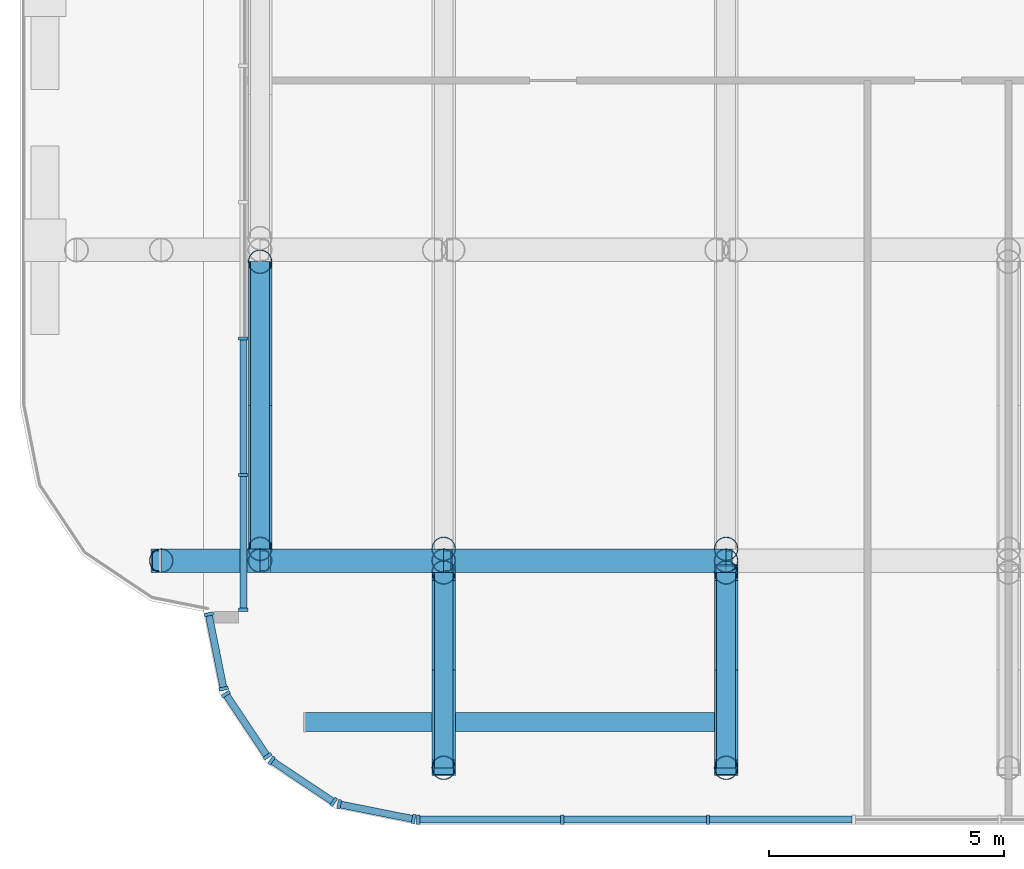
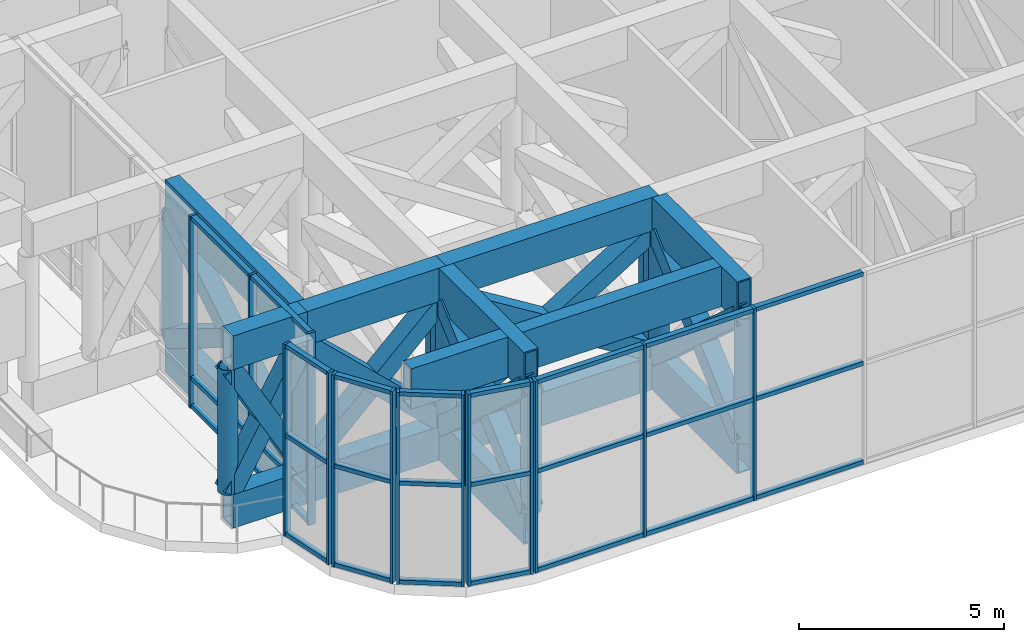
# One storey, part 1 of 21: 65 members, 13 beams, 6 elements without a shape of their own.
"""IFC4 building model written with IfcOpenShell, lengths in metres."""

from ifc_helpers import new_model, si_unit, direction, frame, origin, origin_2d, place, context, subcontext, project, spatial, rectangle, hollow_rectangle, hollow_circle, extrude, material, layer, layer_set, material_profile, profile_set, type_object, element, aggregate, save


model = new_model("IFC4")

# Units and contexts
model_context = context("Model", 3, precision=1e-05, world=origin(), true_north=direction((0.0, 1.0)))
body_context = subcontext(model_context, "Body", "Model", "MODEL_VIEW")
ifc_project = project(units=[si_unit("LENGTHUNIT", "METRE"), si_unit("AREAUNIT", "SQUARE_METRE"), si_unit("VOLUMEUNIT", "CUBIC_METRE"), si_unit("PLANEANGLEUNIT", "RADIAN"), si_unit("MASSUNIT", "GRAM", prefix="KILO")], contexts=[model_context])

# Site, building, storey
site_placement = place(None, origin())
site = spatial("IfcSite", under=ifc_project, at=site_placement, CompositionType="ELEMENT")
building_placement = place(site_placement, origin())
building = spatial("IfcBuilding", under=site, at=building_placement, Name="Torana Hotel and Residences", CompositionType="ELEMENT")
storey_placement = place(building_placement, frame((0.0, 0.0, 246.60009765625)))
storey = spatial("IfcBuildingStorey", under=building, at=storey_placement, Name="L65", CompositionType="ELEMENT", Elevation=246.60009765625)

# Curtain wall, members
ifc_material_1 = material(Name="Dark anodised aluminium", Category="aluminium")
ifc_layer = layer(ifc_material_1, 0.199951171875)
ifc_layer_set = layer_set([ifc_layer], Name="CW2 SKY LOBBY UNITISED CURTAIN WALL")
curtain_wall_type = type_object("IfcCurtainWallType", Name="CW2 SKY LOBBY UNITISED CURTAIN WALL", PredefinedType="NOTDEFINED", material=ifc_layer_set)
curtain_wall_1_placement = place(storey_placement, origin())
curtain_wall_1 = element("IfcCurtainWall", 1, at=curtain_wall_1_placement, inside=storey, type_object=curtain_wall_type, Name="Curtain wall CW2 L65 e0.4-2", PredefinedType="NOTDEFINED")
ifc_material_2 = material(Name="Dark anodised aluminium", Category="aluminium")
ifc_material_profile_1 = material_profile(ifc_material_2, rectangle(XDim=0.199951171875, YDim=0.070068359375, at=origin_2d()), Name="CW2 MULLION 70x200")
ifc_profile_set_1 = profile_set([ifc_material_profile_1], Name="Dark anodised aluminium")
member_type_1 = type_object("IfcMemberType", Name="CW2 MULLION 70x200", PredefinedType="MULLION", material=ifc_profile_set_1)
member_1_placement = place(storey_placement, frame((-22.2548828125, -23.482421875, 0.0), z_axis=(0.0, 0.0, 1.0), x_axis=(1.0, 0.0, 0.0)))
member_1 = element("IfcMember", 2, at=member_1_placement, type_object=member_type_1, Name="CW2 mullion 4", PredefinedType="MULLION", context=body_context, shape_type="SweptSolid", body=[
    extrude(rectangle(XDim=0.199951171875, YDim=0.070068359375, at=origin_2d()), origin(), (0.0, 0.0, 1.0), 5.719970703125),
])
member_2_placement = place(storey_placement, frame((-22.2548828125, -26.37890625, 0.0), z_axis=(0.0, 0.0, 1.0), x_axis=(1.0, 0.0, 0.0)))
member_2 = element("IfcMember", 3, at=member_2_placement, type_object=member_type_1, Name="CW2 mullion 5", PredefinedType="MULLION", context=body_context, shape_type="SweptSolid", body=[
    extrude(rectangle(XDim=0.199951171875, YDim=0.070068359375, at=origin_2d()), origin(), (0.0, 0.0, 1.0), 5.719970703125),
])
member_3_placement = place(storey_placement, frame((-22.2548828125, -29.240478515625, 0.0), z_axis=(0.0, 0.0, 1.0), x_axis=(1.0, 0.0, 0.0)))
member_3 = element("IfcMember", 4, at=member_3_placement, type_object=member_type_1, Name="CW2 mullion 6", PredefinedType="MULLION", context=body_context, shape_type="SweptSolid", body=[
    extrude(rectangle(XDim=0.199951171875, YDim=0.070068359375, at=origin_2d()), origin(), (0.0, 0.0, 1.0), 5.719970703125),
])

curtain_wall_2_placement = place(storey_placement, origin())
curtain_wall_2 = element("IfcCurtainWall", 5, at=curtain_wall_2_placement, inside=storey, type_object=curtain_wall_type, Name="Curtain wall CW2 L65 e0.5-1", PredefinedType="NOTDEFINED")
member_4_placement = place(storey_placement, frame((-22.990234375, -29.3388671875, 0.0), z_axis=(0.0, 0.0, 1.0), x_axis=(0.980790545928, 0.195063848566, 0.0)))
member_4 = element("IfcMember", 6, at=member_4_placement, type_object=member_type_1, Name="CW2 mullion 1", PredefinedType="MULLION", context=body_context, shape_type="SweptSolid", body=[
    extrude(rectangle(XDim=0.199951171875, YDim=0.070068359375, at=origin_2d()), origin(), (0.0, 0.0, 1.0), 5.719970703125),
])
member_5_placement = place(storey_placement, frame((-22.676025390625, -30.91943359375, 0.0), z_axis=(0.0, 0.0, 1.0), x_axis=(0.980790545928, 0.195063848566, 0.0)))
member_5 = element("IfcMember", 7, at=member_5_placement, type_object=member_type_1, Name="CW2 mullion 2", PredefinedType="MULLION", context=body_context, shape_type="SweptSolid", body=[
    extrude(rectangle(XDim=0.199951171875, YDim=0.070068359375, at=origin_2d()), origin(), (0.0, 0.0, 1.0), 5.719970703125),
])

curtain_wall_3_placement = place(storey_placement, origin())
curtain_wall_3 = element("IfcCurtainWall", 8, at=curtain_wall_3_placement, inside=storey, type_object=curtain_wall_type, Name="Curtain wall CW2 L65 e0.6-1", PredefinedType="NOTDEFINED")
member_6_placement = place(storey_placement, frame((-22.627197265625, -31.037109375, 0.0), z_axis=(0.0, 0.0, 1.0), x_axis=(0.831473968618, 0.555563713278, 0.0)))
member_6 = element("IfcMember", 9, at=member_6_placement, type_object=member_type_1, Name="CW2 mullion 1", PredefinedType="MULLION", context=body_context, shape_type="SweptSolid", body=[
    extrude(rectangle(XDim=0.199951171875, YDim=0.070068359375, at=origin_2d()), origin(), (0.0, 0.0, 1.0), 5.719970703125),
])
member_7_placement = place(storey_placement, frame((-21.745849609375, -32.35595703125, 0.0), z_axis=(0.0, 0.0, 1.0), x_axis=(0.831473968618, 0.555563713278, 0.0)))
member_7 = element("IfcMember", 10, at=member_7_placement, type_object=member_type_1, Name="CW2 mullion 2", PredefinedType="MULLION", context=body_context, shape_type="SweptSolid", body=[
    extrude(rectangle(XDim=0.199951171875, YDim=0.070068359375, at=origin_2d()), origin(), (0.0, 0.0, 1.0), 5.719970703125),
])

curtain_wall_4_placement = place(storey_placement, origin())
curtain_wall_4 = element("IfcCurtainWall", 11, at=curtain_wall_4_placement, inside=storey, type_object=curtain_wall_type, Name="Curtain wall CW2 L65 e0.7-1", PredefinedType="NOTDEFINED")
member_8_placement = place(storey_placement, frame((-21.656005859375, -32.446044921875, 0.0), z_axis=(0.0, 0.0, 1.0), x_axis=(0.555563713278, 0.831473968618, 0.0)))
member_8 = element("IfcMember", 12, at=member_8_placement, type_object=member_type_1, Name="CW2 mullion 1", PredefinedType="MULLION", context=body_context, shape_type="SweptSolid", body=[
    extrude(rectangle(XDim=0.199951171875, YDim=0.070068359375, at=origin_2d()), origin(), (0.0, 0.0, 1.0), 5.719970703125),
])
member_9_placement = place(storey_placement, frame((-20.3369140625, -33.3271484375, 0.0), z_axis=(0.0, 0.0, 1.0), x_axis=(0.555563713278, 0.831473968618, 0.0)))
member_9 = element("IfcMember", 13, at=member_9_placement, type_object=member_type_1, Name="CW2 mullion 2", PredefinedType="MULLION", context=body_context, shape_type="SweptSolid", body=[
    extrude(rectangle(XDim=0.199951171875, YDim=0.070068359375, at=origin_2d()), origin(), (0.0, 0.0, 1.0), 5.719970703125),
])

curtain_wall_5_placement = place(storey_placement, origin())
curtain_wall_5 = element("IfcCurtainWall", 14, at=curtain_wall_5_placement, inside=storey, type_object=curtain_wall_type, Name="Curtain wall CW2 L65 e0.8-1", PredefinedType="NOTDEFINED")
member_10_placement = place(storey_placement, frame((-20.219482421875, -33.3759765625, 0.0), z_axis=(0.0, 0.0, 1.0), x_axis=(0.195063848566, 0.980790545928, 0.0)))
member_10 = element("IfcMember", 15, at=member_10_placement, type_object=member_type_1, Name="CW2 mullion 1", PredefinedType="MULLION", context=body_context, shape_type="SweptSolid", body=[
    extrude(rectangle(XDim=0.199951171875, YDim=0.070068359375, at=origin_2d()), origin(), (0.0, 0.0, 1.0), 5.719970703125),
])
member_11_placement = place(storey_placement, frame((-18.638916015625, -33.690185546875, 0.0), z_axis=(0.0, 0.0, 1.0), x_axis=(0.195063848566, 0.980790545928, 0.0)))
member_11 = element("IfcMember", 16, at=member_11_placement, type_object=member_type_1, Name="CW2 mullion 2", PredefinedType="MULLION", context=body_context, shape_type="SweptSolid", body=[
    extrude(rectangle(XDim=0.199951171875, YDim=0.070068359375, at=origin_2d()), origin(), (0.0, 0.0, 1.0), 5.719970703125),
])

curtain_wall_6_placement = place(storey_placement, origin())
curtain_wall_6 = element("IfcCurtainWall", 17, at=curtain_wall_6_placement, inside=storey, type_object=curtain_wall_type, Name="Curtain wall CW2 L65 e0.9-1", PredefinedType="NOTDEFINED")
member_12_placement = place(storey_placement, frame((-18.540283203125, -33.699951171875, 0.0), z_axis=(0.0, 0.0, 1.0), x_axis=(0.0, 1.0, 0.0)))
member_12 = element("IfcMember", 18, at=member_12_placement, type_object=member_type_1, Name="CW2 mullion 1", PredefinedType="MULLION", context=body_context, shape_type="SweptSolid", body=[
    extrude(rectangle(XDim=0.199951171875, YDim=0.070068359375, at=origin_2d()), origin(), (0.0, 0.0, 1.0), 5.719970703125),
])
member_13_placement = place(storey_placement, frame((-15.4794921875, -33.699951171875, 0.0), z_axis=(0.0, 0.0, 1.0), x_axis=(0.0, 1.0, 0.0)))
member_13 = element("IfcMember", 19, at=member_13_placement, type_object=member_type_1, Name="CW2 mullion 2", PredefinedType="MULLION", context=body_context, shape_type="SweptSolid", body=[
    extrude(rectangle(XDim=0.199951171875, YDim=0.070068359375, at=origin_2d()), origin(), (0.0, 0.0, 1.0), 5.719970703125),
])
member_14_placement = place(storey_placement, frame((-12.383544921875, -33.699951171875, 0.0), z_axis=(0.0, 0.0, 1.0), x_axis=(0.0, 1.0, 0.0)))
member_14 = element("IfcMember", 20, at=member_14_placement, type_object=member_type_1, Name="CW2 mullion 3", PredefinedType="MULLION", context=body_context, shape_type="SweptSolid", body=[
    extrude(rectangle(XDim=0.199951171875, YDim=0.070068359375, at=origin_2d()), origin(), (0.0, 0.0, 1.0), 5.719970703125),
])

# Member
ifc_material_3 = material(Name="Dark anodised aluminium", Category="aluminium")
ifc_material_profile_2 = material_profile(ifc_material_3, rectangle(XDim=0.14990234375, YDim=0.1201171875, at=origin_2d()), Name="CW2 TRANSOM 150x120")
ifc_profile_set_2 = profile_set([ifc_material_profile_2], Name="Dark anodised aluminium")
member_type_2 = type_object("IfcMemberType", Name="CW2 TRANSOM 150x120", PredefinedType="USERDEFINED", material=ifc_profile_set_2)
member_15_placement = place(storey_placement, frame((-22.2548828125, -23.517333984375, 0.059814453125), z_axis=(0.0, -1.0, 0.0), x_axis=(1.0, 0.0, 0.0)))
member_15 = element("IfcMember", 21, at=member_15_placement, type_object=member_type_2, Name="CW2 transom 4.1", ObjectType="TRANSOM", PredefinedType="USERDEFINED", context=body_context, shape_type="SweptSolid", body=[
    extrude(rectangle(XDim=0.14990234375, YDim=0.1201171875, at=origin_2d()), origin(), (0.0, 0.0, 1.0), 2.82666015625),
])

member_16_placement = place(storey_placement, frame((-22.2548828125, -23.517333984375, 0.89990234375), z_axis=(0.0, -1.0, 0.0), x_axis=(1.0, 0.0, 0.0)))
member_16 = element("IfcMember", 22, at=member_16_placement, type_object=member_type_2, Name="CW2 transom 4.2", ObjectType="TRANSOM", PredefinedType="USERDEFINED", context=body_context, shape_type="SweptSolid", body=[
    extrude(rectangle(XDim=0.14990234375, YDim=0.1201171875, at=origin_2d()), origin(), (0.0, 0.0, 1.0), 2.82666015625),
])

member_17_placement = place(storey_placement, frame((-22.2548828125, -23.517333984375, 5.659912109375), z_axis=(0.0, -1.0, 0.0), x_axis=(1.0, 0.0, 0.0)))
member_17 = element("IfcMember", 23, at=member_17_placement, type_object=member_type_2, Name="CW2 transom 4.3", ObjectType="TRANSOM", PredefinedType="USERDEFINED", context=body_context, shape_type="SweptSolid", body=[
    extrude(rectangle(XDim=0.14990234375, YDim=0.1201171875, at=origin_2d()), origin(), (0.0, 0.0, 1.0), 2.82666015625),
])

member_18_placement = place(storey_placement, frame((-22.2548828125, -26.413818359375, 0.059814453125), z_axis=(0.0, -1.0, 0.0), x_axis=(1.0, 0.0, 0.0)))
member_18 = element("IfcMember", 24, at=member_18_placement, type_object=member_type_2, Name="CW2 transom 5.1", ObjectType="TRANSOM", PredefinedType="USERDEFINED", context=body_context, shape_type="SweptSolid", body=[
    extrude(rectangle(XDim=0.14990234375, YDim=0.1201171875, at=origin_2d()), origin(), (0.0, 0.0, 1.0), 2.79150390625),
])

member_19_placement = place(storey_placement, frame((-22.2548828125, -26.413818359375, 0.89990234375), z_axis=(0.0, -1.0, 0.0), x_axis=(1.0, 0.0, 0.0)))
member_19 = element("IfcMember", 25, at=member_19_placement, type_object=member_type_2, Name="CW2 transom 5.2", ObjectType="TRANSOM", PredefinedType="USERDEFINED", context=body_context, shape_type="SweptSolid", body=[
    extrude(rectangle(XDim=0.14990234375, YDim=0.1201171875, at=origin_2d()), origin(), (0.0, 0.0, 1.0), 2.79150390625),
])

member_20_placement = place(storey_placement, frame((-22.2548828125, -26.413818359375, 5.659912109375), z_axis=(0.0, -1.0, 0.0), x_axis=(1.0, 0.0, 0.0)))
member_20 = element("IfcMember", 26, at=member_20_placement, type_object=member_type_2, Name="CW2 transom 5.3", ObjectType="TRANSOM", PredefinedType="USERDEFINED", context=body_context, shape_type="SweptSolid", body=[
    extrude(rectangle(XDim=0.14990234375, YDim=0.1201171875, at=origin_2d()), origin(), (0.0, 0.0, 1.0), 2.79150390625),
])

aggregate(curtain_wall_1, [member_1, member_2, member_3, member_15, member_16, member_17, member_18, member_19, member_20])

member_21_placement = place(storey_placement, frame((-22.9833984375, -29.373291015625, 0.059814453125), z_axis=(0.194958648567, -0.980811462692, 0.0), x_axis=(0.980811462692, 0.194958648567, 0.0)))
member_21 = element("IfcMember", 27, at=member_21_placement, type_object=member_type_2, Name="CW2 transom 1.1", ObjectType="TRANSOM", PredefinedType="USERDEFINED", context=body_context, shape_type="SweptSolid", body=[
    extrude(rectangle(XDim=0.14990234375, YDim=0.1201171875, at=origin_2d()), origin(), (0.0, 0.0, 1.0), 1.54150390625),
])

member_22_placement = place(storey_placement, frame((-22.9833984375, -29.373291015625, 3.0), z_axis=(0.194958648567, -0.980811462692, 0.0), x_axis=(0.980811462692, 0.194958648567, 0.0)))
member_22 = element("IfcMember", 28, at=member_22_placement, type_object=member_type_2, Name="CW2 transom 1.2", ObjectType="TRANSOM", PredefinedType="USERDEFINED", context=body_context, shape_type="SweptSolid", body=[
    extrude(rectangle(XDim=0.14990234375, YDim=0.1201171875, at=origin_2d()), origin(), (0.0, 0.0, 1.0), 1.54150390625),
])

member_23_placement = place(storey_placement, frame((-22.9833984375, -29.373291015625, 5.659912109375), z_axis=(0.194958648567, -0.980811462692, 0.0), x_axis=(0.980811462692, 0.194958648567, 0.0)))
member_23 = element("IfcMember", 29, at=member_23_placement, type_object=member_type_2, Name="CW2 transom 1.3", ObjectType="TRANSOM", PredefinedType="USERDEFINED", context=body_context, shape_type="SweptSolid", body=[
    extrude(rectangle(XDim=0.14990234375, YDim=0.1201171875, at=origin_2d()), origin(), (0.0, 0.0, 1.0), 1.54150390625),
])

aggregate(curtain_wall_2, [member_4, member_5, member_21, member_22, member_23])

member_24_placement = place(storey_placement, frame((-22.60791015625, -31.066162109375, 0.059814453125), z_axis=(0.555628726357, -0.831430525328, 0.0), x_axis=(0.831430525328, 0.555628726357, 0.0)))
member_24 = element("IfcMember", 30, at=member_24_placement, type_object=member_type_2, Name="CW2 transom 1.1", ObjectType="TRANSOM", PredefinedType="USERDEFINED", context=body_context, shape_type="SweptSolid", body=[
    extrude(rectangle(XDim=0.14990234375, YDim=0.1201171875, at=origin_2d()), origin(), (0.0, 0.0, 1.0), 1.516357421875),
])

member_25_placement = place(storey_placement, frame((-22.60791015625, -31.066162109375, 3.0), z_axis=(0.555628726357, -0.831430525328, 0.0), x_axis=(0.831430525328, 0.555628726357, 0.0)))
member_25 = element("IfcMember", 31, at=member_25_placement, type_object=member_type_2, Name="CW2 transom 1.2", ObjectType="TRANSOM", PredefinedType="USERDEFINED", context=body_context, shape_type="SweptSolid", body=[
    extrude(rectangle(XDim=0.14990234375, YDim=0.1201171875, at=origin_2d()), origin(), (0.0, 0.0, 1.0), 1.516357421875),
])

member_26_placement = place(storey_placement, frame((-22.60791015625, -31.066162109375, 5.659912109375), z_axis=(0.555628726357, -0.831430525328, 0.0), x_axis=(0.831430525328, 0.555628726357, 0.0)))
member_26 = element("IfcMember", 32, at=member_26_placement, type_object=member_type_2, Name="CW2 transom 1.3", ObjectType="TRANSOM", PredefinedType="USERDEFINED", context=body_context, shape_type="SweptSolid", body=[
    extrude(rectangle(XDim=0.14990234375, YDim=0.1201171875, at=origin_2d()), origin(), (0.0, 0.0, 1.0), 1.516357421875),
])

aggregate(curtain_wall_3, [member_6, member_7, member_24, member_25, member_26])

member_27_placement = place(storey_placement, frame((-21.626953125, -32.46533203125, 0.059814453125), z_axis=(0.831430525328, -0.555628726357, 0.0), x_axis=(0.555628726357, 0.831430525328, 0.0)))
member_27 = element("IfcMember", 33, at=member_27_placement, type_object=member_type_2, Name="CW2 transom 1.1", ObjectType="TRANSOM", PredefinedType="USERDEFINED", context=body_context, shape_type="SweptSolid", body=[
    extrude(rectangle(XDim=0.14990234375, YDim=0.1201171875, at=origin_2d()), origin(), (0.0, 0.0, 1.0), 1.516357421875),
])

member_28_placement = place(storey_placement, frame((-21.626953125, -32.46533203125, 3.0), z_axis=(0.831430525328, -0.555628726357, 0.0), x_axis=(0.555628726357, 0.831430525328, 0.0)))
member_28 = element("IfcMember", 34, at=member_28_placement, type_object=member_type_2, Name="CW2 transom 1.2", ObjectType="TRANSOM", PredefinedType="USERDEFINED", context=body_context, shape_type="SweptSolid", body=[
    extrude(rectangle(XDim=0.14990234375, YDim=0.1201171875, at=origin_2d()), origin(), (0.0, 0.0, 1.0), 1.516357421875),
])

member_29_placement = place(storey_placement, frame((-21.626953125, -32.46533203125, 5.659912109375), z_axis=(0.831430525328, -0.555628726357, 0.0), x_axis=(0.555628726357, 0.831430525328, 0.0)))
member_29 = element("IfcMember", 35, at=member_29_placement, type_object=member_type_2, Name="CW2 transom 1.3", ObjectType="TRANSOM", PredefinedType="USERDEFINED", context=body_context, shape_type="SweptSolid", body=[
    extrude(rectangle(XDim=0.14990234375, YDim=0.1201171875, at=origin_2d()), origin(), (0.0, 0.0, 1.0), 1.516357421875),
])

aggregate(curtain_wall_4, [member_8, member_9, member_27, member_28, member_29])

member_30_placement = place(storey_placement, frame((-20.18505859375, -33.3828125, 0.059814453125), z_axis=(0.980805441664, -0.194988937127, 0.0), x_axis=(0.194988937127, 0.980805441664, 0.0)))
member_30 = element("IfcMember", 36, at=member_30_placement, type_object=member_type_2, Name="CW2 transom 1.1", ObjectType="TRANSOM", PredefinedType="USERDEFINED", context=body_context, shape_type="SweptSolid", body=[
    extrude(rectangle(XDim=0.14990234375, YDim=0.1201171875, at=origin_2d()), origin(), (0.0, 0.0, 1.0), 1.541259765625),
])

member_31_placement = place(storey_placement, frame((-20.18505859375, -33.3828125, 3.0), z_axis=(0.980805441664, -0.194988937127, 0.0), x_axis=(0.194988937127, 0.980805441664, 0.0)))
member_31 = element("IfcMember", 37, at=member_31_placement, type_object=member_type_2, Name="CW2 transom 1.2", ObjectType="TRANSOM", PredefinedType="USERDEFINED", context=body_context, shape_type="SweptSolid", body=[
    extrude(rectangle(XDim=0.14990234375, YDim=0.1201171875, at=origin_2d()), origin(), (0.0, 0.0, 1.0), 1.541259765625),
])

member_32_placement = place(storey_placement, frame((-20.18505859375, -33.3828125, 5.659912109375), z_axis=(0.980805441664, -0.194988937127, 0.0), x_axis=(0.194988937127, 0.980805441664, 0.0)))
member_32 = element("IfcMember", 38, at=member_32_placement, type_object=member_type_2, Name="CW2 transom 1.3", ObjectType="TRANSOM", PredefinedType="USERDEFINED", context=body_context, shape_type="SweptSolid", body=[
    extrude(rectangle(XDim=0.14990234375, YDim=0.1201171875, at=origin_2d()), origin(), (0.0, 0.0, 1.0), 1.541259765625),
])

aggregate(curtain_wall_5, [member_10, member_11, member_30, member_31, member_32])

member_33_placement = place(storey_placement, frame((-18.50537109375, -33.699951171875, 0.059814453125), z_axis=(1.0, 0.0, 0.0), x_axis=(0.0, 1.0, 0.0)))
member_33 = element("IfcMember", 39, at=member_33_placement, type_object=member_type_2, Name="CW2 transom 1.1", ObjectType="TRANSOM", PredefinedType="USERDEFINED", context=body_context, shape_type="SweptSolid", body=[
    extrude(rectangle(XDim=0.14990234375, YDim=0.1201171875, at=origin_2d()), origin(), (0.0, 0.0, 1.0), 2.990966796875),
])

member_34_placement = place(storey_placement, frame((-18.50537109375, -33.699951171875, 3.0), z_axis=(1.0, 0.0, 0.0), x_axis=(0.0, 1.0, 0.0)))
member_34 = element("IfcMember", 40, at=member_34_placement, type_object=member_type_2, Name="CW2 transom 1.2", ObjectType="TRANSOM", PredefinedType="USERDEFINED", context=body_context, shape_type="SweptSolid", body=[
    extrude(rectangle(XDim=0.14990234375, YDim=0.1201171875, at=origin_2d()), origin(), (0.0, 0.0, 1.0), 2.990966796875),
])

member_35_placement = place(storey_placement, frame((-18.50537109375, -33.699951171875, 5.659912109375), z_axis=(1.0, 0.0, 0.0), x_axis=(0.0, 1.0, 0.0)))
member_35 = element("IfcMember", 41, at=member_35_placement, type_object=member_type_2, Name="CW2 transom 1.3", ObjectType="TRANSOM", PredefinedType="USERDEFINED", context=body_context, shape_type="SweptSolid", body=[
    extrude(rectangle(XDim=0.14990234375, YDim=0.1201171875, at=origin_2d()), origin(), (0.0, 0.0, 1.0), 2.990966796875),
])

member_36_placement = place(storey_placement, frame((-15.444580078125, -33.699951171875, 0.059814453125), z_axis=(1.0, 0.0, 0.0), x_axis=(0.0, 1.0, 0.0)))
member_36 = element("IfcMember", 42, at=member_36_placement, type_object=member_type_2, Name="CW2 transom 2.1", ObjectType="TRANSOM", PredefinedType="USERDEFINED", context=body_context, shape_type="SweptSolid", body=[
    extrude(rectangle(XDim=0.14990234375, YDim=0.1201171875, at=origin_2d()), origin(), (0.0, 0.0, 1.0), 3.02587890625),
])

member_37_placement = place(storey_placement, frame((-15.444580078125, -33.699951171875, 3.0), z_axis=(1.0, 0.0, 0.0), x_axis=(0.0, 1.0, 0.0)))
member_37 = element("IfcMember", 43, at=member_37_placement, type_object=member_type_2, Name="CW2 transom 2.2", ObjectType="TRANSOM", PredefinedType="USERDEFINED", context=body_context, shape_type="SweptSolid", body=[
    extrude(rectangle(XDim=0.14990234375, YDim=0.1201171875, at=origin_2d()), origin(), (0.0, 0.0, 1.0), 3.02587890625),
])

member_38_placement = place(storey_placement, frame((-15.444580078125, -33.699951171875, 5.659912109375), z_axis=(1.0, 0.0, 0.0), x_axis=(0.0, 1.0, 0.0)))
member_38 = element("IfcMember", 44, at=member_38_placement, type_object=member_type_2, Name="CW2 transom 2.3", ObjectType="TRANSOM", PredefinedType="USERDEFINED", context=body_context, shape_type="SweptSolid", body=[
    extrude(rectangle(XDim=0.14990234375, YDim=0.1201171875, at=origin_2d()), origin(), (0.0, 0.0, 1.0), 3.02587890625),
])

member_39_placement = place(storey_placement, frame((-12.3486328125, -33.699951171875, 0.059814453125), z_axis=(1.0, 0.0, 0.0), x_axis=(0.0, 1.0, 0.0)))
member_39 = element("IfcMember", 45, at=member_39_placement, type_object=member_type_2, Name="CW2 transom 3.1", ObjectType="TRANSOM", PredefinedType="USERDEFINED", context=body_context, shape_type="SweptSolid", body=[
    extrude(rectangle(XDim=0.14990234375, YDim=0.1201171875, at=origin_2d()), origin(), (0.0, 0.0, 1.0), 3.02587890625),
])

member_40_placement = place(storey_placement, frame((-12.3486328125, -33.699951171875, 3.0), z_axis=(1.0, 0.0, 0.0), x_axis=(0.0, 1.0, 0.0)))
member_40 = element("IfcMember", 46, at=member_40_placement, type_object=member_type_2, Name="CW2 transom 3.2", ObjectType="TRANSOM", PredefinedType="USERDEFINED", context=body_context, shape_type="SweptSolid", body=[
    extrude(rectangle(XDim=0.14990234375, YDim=0.1201171875, at=origin_2d()), origin(), (0.0, 0.0, 1.0), 3.02587890625),
])

member_41_placement = place(storey_placement, frame((-12.3486328125, -33.699951171875, 5.659912109375), z_axis=(1.0, 0.0, 0.0), x_axis=(0.0, 1.0, 0.0)))
member_41 = element("IfcMember", 47, at=member_41_placement, type_object=member_type_2, Name="CW2 transom 3.3", ObjectType="TRANSOM", PredefinedType="USERDEFINED", context=body_context, shape_type="SweptSolid", body=[
    extrude(rectangle(XDim=0.14990234375, YDim=0.1201171875, at=origin_2d()), origin(), (0.0, 0.0, 1.0), 3.02587890625),
])

aggregate(curtain_wall_6, [member_12, member_13, member_14, member_33, member_34, member_35, member_36, member_37, member_38, member_39, member_40, member_41])

# Beams
ifc_material_4 = material(Name="Steel S355", Category="steel")
ifc_material_profile_3 = material_profile(ifc_material_4, hollow_rectangle(XDim=0.5, YDim=1.0, WallThickness=0.050048828125, at=origin_2d()), Name="BOX 1000x500x50")
ifc_profile_set_3 = profile_set([ifc_material_profile_3], Name="Steel S355")
beam_type_1 = type_object("IfcBeamType", Name="STEEL CHORD BOX 1000x500x50", PredefinedType="BEAM", material=ifc_profile_set_3)
for number, where, z_axis, x_axis, name in (
    (48, (-24.0, -28.199951171875, 0.5), (1.0, 0.0, 0.0), (0.0, 1.0, 0.0), "Transfer chord L65"),
    (49, (-24.0, -28.199951171875, 5.219970703125), (1.0, 0.0, 0.0), (0.0, 1.0, 0.0), "Transfer chord L65"),
):
    element("IfcBeam", number, at=place(storey_placement, frame(where, z_axis=z_axis, x_axis=x_axis)), inside=storey, type_object=beam_type_1, Name=name, PredefinedType="BEAM", context=body_context, shape_type="SweptSolid", body=[
        extrude(hollow_rectangle(XDim=0.5, YDim=1.0, WallThickness=0.050048828125, at=origin_2d()), origin(), (0.0, 0.0, 1.0), 2.10009765625),
    ])
for number, where, z_axis, x_axis, name in (
    (50, (-21.89990234375, -28.199951171875, 0.5), (1.0, 0.0, 0.0), (0.0, 1.0, 0.0), "Transfer chord L65"),
    (51, (-21.89990234375, -28.199951171875, 5.219970703125), (1.0, 0.0, 0.0), (0.0, 1.0, 0.0), "Transfer chord L65"),
):
    element("IfcBeam", number, at=place(storey_placement, frame(where, z_axis=z_axis, x_axis=x_axis)), inside=storey, type_object=beam_type_1, Name=name, PredefinedType="BEAM", context=body_context, shape_type="SweptSolid", body=[
        extrude(hollow_rectangle(XDim=0.5, YDim=1.0, WallThickness=0.050048828125, at=origin_2d()), origin(), (0.0, 0.0, 1.0), 3.89990234375),
    ])
for number, where, z_axis, x_axis, name in (
    (52, (-18.0, -28.199951171875, 0.5), (1.0, 0.0, 0.0), (0.0, 1.0, 0.0), "Transfer chord L65"),
    (53, (-18.0, -28.199951171875, 5.219970703125), (1.0, 0.0, 0.0), (0.0, 1.0, 0.0), "Transfer chord L65"),
):
    element("IfcBeam", number, at=place(storey_placement, frame(where, z_axis=z_axis, x_axis=x_axis)), inside=storey, type_object=beam_type_1, Name=name, PredefinedType="BEAM", context=body_context, shape_type="SweptSolid", body=[
        extrude(hollow_rectangle(XDim=0.5, YDim=1.0, WallThickness=0.050048828125, at=origin_2d()), origin(), (0.0, 0.0, 1.0), 6.0),
    ])
ifc_material_5 = material(Name="Steel S355", Category="steel")
ifc_material_profile_4 = material_profile(ifc_material_5, hollow_rectangle(XDim=0.39990234375, YDim=1.199951171875, WallThickness=0.0400390625, at=origin_2d()), Name="BOX 1200x400x40")
ifc_profile_set_4 = profile_set([ifc_material_profile_4], Name="Steel S355")
beam_type_2 = type_object("IfcBeamType", Name="STEEL CHORD BOX 1200x400x40", PredefinedType="BEAM", material=ifc_profile_set_4)
for number, where, z_axis, x_axis, name in (
    (54, (-21.89990234375, -27.949951171875, 0.599853515625), (0.0, 1.0, 0.0), (-1.0, 0.0, 0.0), "Transfer chord L65"),
    (55, (-21.89990234375, -27.949951171875, 5.119873046875), (0.0, 1.0, 0.0), (-1.0, 0.0, 0.0), "Transfer chord L65"),
):
    element("IfcBeam", number, at=place(storey_placement, frame(where, z_axis=z_axis, x_axis=x_axis)), inside=storey, type_object=beam_type_2, Name=name, PredefinedType="BEAM", context=body_context, shape_type="SweptSolid", body=[
        extrude(hollow_rectangle(XDim=0.39990234375, YDim=1.199951171875, WallThickness=0.0400390625, at=origin_2d()), origin(), (0.0, 0.0, 1.0), 6.099853515625),
    ])
for number, where, z_axis, x_axis, name in (
    (56, (-18.0, -32.60009765625, 0.599853515625), (0.0, 1.0, 0.0), (-1.0, 0.0, 0.0), "Transfer chord L65"),
    (57, (-18.0, -32.60009765625, 5.119873046875), (0.0, 1.0, 0.0), (-1.0, 0.0, 0.0), "Transfer chord L65"),
    (58, (-12.0, -32.60009765625, 0.599853515625), (0.0, 1.0, 0.0), (-1.0, 0.0, 0.0), "Transfer chord L65"),
    (59, (-12.0, -32.60009765625, 5.119873046875), (0.0, 1.0, 0.0), (-1.0, 0.0, 0.0), "Transfer chord L65"),
):
    element("IfcBeam", number, at=place(storey_placement, frame(where, z_axis=z_axis, x_axis=x_axis)), inside=storey, type_object=beam_type_2, Name=name, PredefinedType="BEAM", context=body_context, shape_type="SweptSolid", body=[
        extrude(hollow_rectangle(XDim=0.39990234375, YDim=1.199951171875, WallThickness=0.0400390625, at=origin_2d()), origin(), (0.0, 0.0, 1.0), 4.150146484375),
    ])
beam_placement = place(storey_placement, frame((-20.929931640625, -31.6298828125, 5.119873046875), z_axis=(1.0, 0.0, 0.0), x_axis=(0.0, 1.0, 0.0)))
element("IfcBeam", 60, at=beam_placement, inside=storey, type_object=beam_type_2, Name="Transfer link L65", PredefinedType="BEAM", context=body_context, shape_type="SweptSolid", body=[
    extrude(hollow_rectangle(XDim=0.39990234375, YDim=1.199951171875, WallThickness=0.0400390625, at=origin_2d()), origin(), (0.0, 0.0, 1.0), 8.929931640625),
])

# Members
ifc_material_6 = material(Name="Steel S355", Category="steel")
ifc_material_profile_5 = material_profile(ifc_material_6, hollow_rectangle(XDim=0.5, YDim=0.5, WallThickness=0.0400390625, at=origin_2d()), Name="BOX 500x500x40")
ifc_profile_set_5 = profile_set([ifc_material_profile_5], Name="Steel S355")
member_type_3 = type_object("IfcMemberType", Name="STEEL DIAGONAL BOX 500x500x40", PredefinedType="BRACE", material=ifc_profile_set_5)
for number, where, z_axis, x_axis, name in (
    (61, (-24.0, -28.199951171875, 1.0), (0.491614639726, 0.0, 0.87081286509), (0.0, 1.0, 0.0), "Truss diagonal L65"),
    (62, (-21.89990234375, -28.199951171875, 1.0), (-0.491614639726, 0.0, 0.87081286509), (0.0, -1.0, 0.0), "Truss diagonal L65"),
):
    element("IfcMember", number, at=place(storey_placement, frame(where, z_axis=z_axis, x_axis=x_axis)), inside=storey, type_object=member_type_3, Name=name, PredefinedType="BRACE", context=body_context, shape_type="SweptSolid", body=[
        extrude(hollow_rectangle(XDim=0.5, YDim=0.5, WallThickness=0.0400390625, at=origin_2d()), origin(), (0.0, 0.0, 1.0), 4.271728515625),
    ])
for number, where, z_axis, x_axis, name in (
    (63, (-21.89990234375, -28.199951171875, 1.0), (0.72360231493, 0.0, 0.690217132377), (0.0, 1.0, 0.0), "Truss diagonal L65"),
    (64, (-18.0, -28.199951171875, 1.0), (-0.72360231493, 0.0, 0.690217132377), (0.0, -1.0, 0.0), "Truss diagonal L65"),
):
    element("IfcMember", number, at=place(storey_placement, frame(where, z_axis=z_axis, x_axis=x_axis)), inside=storey, type_object=member_type_3, Name=name, PredefinedType="BRACE", context=body_context, shape_type="SweptSolid", body=[
        extrude(hollow_rectangle(XDim=0.5, YDim=0.5, WallThickness=0.0400390625, at=origin_2d()), origin(), (0.0, 0.0, 1.0), 5.3896484375),
    ])
for number, where, z_axis, x_axis, name in (
    (65, (-18.0, -28.199951171875, 1.0), (0.84990455024, 0.0, 0.526936671224), (0.0, 1.0, 0.0), "Truss diagonal L65"),
    (66, (-12.0, -28.199951171875, 1.0), (-0.84990455024, 0.0, 0.526936671224), (0.0, -1.0, 0.0), "Truss diagonal L65"),
):
    element("IfcMember", number, at=place(storey_placement, frame(where, z_axis=z_axis, x_axis=x_axis)), inside=storey, type_object=member_type_3, Name=name, PredefinedType="BRACE", context=body_context, shape_type="SweptSolid", body=[
        extrude(hollow_rectangle(XDim=0.5, YDim=0.5, WallThickness=0.0400390625, at=origin_2d()), origin(), (0.0, 0.0, 1.0), 7.0595703125),
    ])
for number, where, z_axis, x_axis, name in (
    (67, (-21.89990234375, -27.949951171875, 1.0), (0.0, 0.853762091888, 0.520663317755), (-1.0, 0.0, 0.0), "Truss diagonal L65"),
    (68, (-21.89990234375, -21.85009765625, 1.0), (0.0, -0.853762091888, 0.520663317755), (1.0, 0.0, 0.0), "Truss diagonal L65"),
):
    element("IfcMember", number, at=place(storey_placement, frame(where, z_axis=z_axis, x_axis=x_axis)), inside=storey, type_object=member_type_3, Name=name, PredefinedType="BRACE", context=body_context, shape_type="SweptSolid", body=[
        extrude(hollow_rectangle(XDim=0.5, YDim=0.5, WallThickness=0.0400390625, at=origin_2d()), origin(), (0.0, 0.0, 1.0), 7.144775390625),
    ])
for number, where, z_axis, x_axis, name in (
    (69, (-18.0, -32.60009765625, 1.0), (0.0, 0.74464526482, 0.66746043297), (-1.0, 0.0, 0.0), "Truss diagonal L65"),
    (70, (-18.0, -28.449951171875, 1.0), (0.0, -0.74464526482, 0.66746043297), (1.0, 0.0, 0.0), "Truss diagonal L65"),
    (71, (-12.0, -32.60009765625, 1.0), (0.0, 0.74464526482, 0.66746043297), (-1.0, 0.0, 0.0), "Truss diagonal L65"),
    (72, (-12.0, -28.449951171875, 1.0), (0.0, -0.74464526482, 0.66746043297), (1.0, 0.0, 0.0), "Truss diagonal L65"),
):
    element("IfcMember", number, at=place(storey_placement, frame(where, z_axis=z_axis, x_axis=x_axis)), inside=storey, type_object=member_type_3, Name=name, PredefinedType="BRACE", context=body_context, shape_type="SweptSolid", body=[
        extrude(hollow_rectangle(XDim=0.5, YDim=0.5, WallThickness=0.0400390625, at=origin_2d()), origin(), (0.0, 0.0, 1.0), 5.5732421875),
    ])
ifc_material_7 = material(Name="Steel S355", Category="steel")
ifc_material_profile_6 = material_profile(ifc_material_7, hollow_circle(Radius=0.25390625, WallThickness=0.01611328125, at=origin_2d()), Name="508x16 CHS")
ifc_profile_set_6 = profile_set([ifc_material_profile_6], Name="Steel S355")
member_type_4 = type_object("IfcMemberType", Name="STEEL POST 508x16 CHS", PredefinedType="POST", material=ifc_profile_set_6)
for number, where, z_axis, x_axis, name in (
    (73, (-24.0, -28.199951171875, 1.0), (0.0, 0.0, 1.0), (1.0, 0.0, 0.0), "Truss post L65"),
    (74, (-21.89990234375, -28.199951171875, 1.0), (0.0, 0.0, 1.0), (1.0, 0.0, 0.0), "Truss post L65"),
    (75, (-18.0, -28.199951171875, 1.0), (0.0, 0.0, 1.0), (1.0, 0.0, 0.0), "Truss post L65"),
    (76, (-12.0, -28.199951171875, 1.0), (0.0, 0.0, 1.0), (1.0, 0.0, 0.0), "Truss post L65"),
    (77, (-21.89990234375, -27.949951171875, 1.0), (0.0, 0.0, 1.0), (1.0, 0.0, 0.0), "Truss post L65"),
    (78, (-21.89990234375, -21.85009765625, 1.0), (0.0, 0.0, 1.0), (1.0, 0.0, 0.0), "Truss post L65"),
    (79, (-18.0, -32.60009765625, 1.0), (0.0, 0.0, 1.0), (1.0, 0.0, 0.0), "Truss post L65"),
    (80, (-18.0, -28.449951171875, 1.0), (0.0, 0.0, 1.0), (1.0, 0.0, 0.0), "Truss post L65"),
    (81, (-18.0, -27.949951171875, 1.0), (0.0, 0.0, 1.0), (1.0, 0.0, 0.0), "Truss post L65"),
    (82, (-12.0, -32.60009765625, 1.0), (0.0, 0.0, 1.0), (1.0, 0.0, 0.0), "Truss post L65"),
    (83, (-12.0, -28.449951171875, 1.0), (0.0, 0.0, 1.0), (1.0, 0.0, 0.0), "Truss post L65"),
    (84, (-12.0, -27.949951171875, 1.0), (0.0, 0.0, 1.0), (1.0, 0.0, 0.0), "Truss post L65"),
):
    element("IfcMember", number, at=place(storey_placement, frame(where, z_axis=z_axis, x_axis=x_axis)), inside=storey, type_object=member_type_4, Name=name, PredefinedType="POST", context=body_context, shape_type="SweptSolid", body=[
        extrude(hollow_circle(Radius=0.25390625, WallThickness=0.01611328125, at=origin_2d()), origin(), (0.0, 0.0, 1.0), 3.719970703125),
    ])

save(model, "model.ifc")
